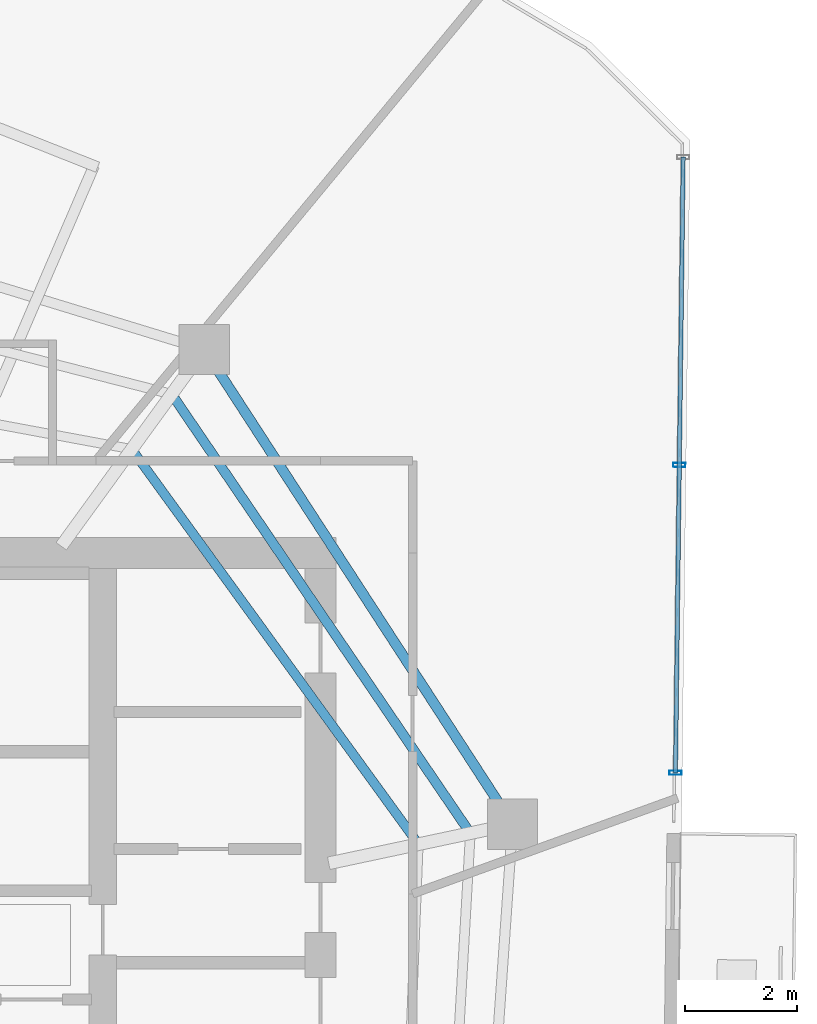
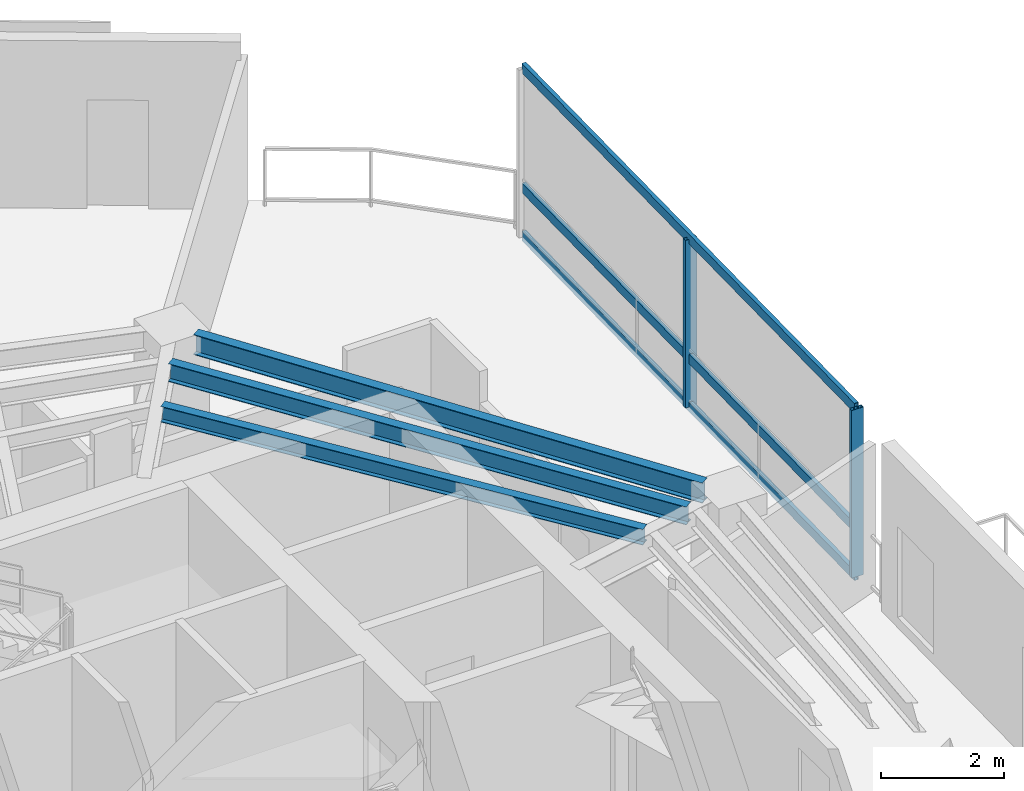
# One storey, part 8 of 18: 5 members, 3 beams, 1 element without a shape of its own.
"""IFC4 building model written with IfcOpenShell, lengths in metres."""

import ifcopenshell
import ifcopenshell.guid

model = None  # the IFC model being written
_history = None  # IfcOwnerHistory: only IFC2X3 demands one
_inside = {}  # id of a spatial element -> (the spatial element, [elements in it])
_under = {}  # id of a project, library or spatial element -> (it, [spatial elements below it])
_declared = {}  # id of a project -> (the project, [libraries it declares])
_typed = {}  # id of a type object -> (the type object, [elements of that type])
_made_of = {}  # id of a material, layer set ... -> (it, [elements and type objects made of it])


def new_model(schema):
    """Start an empty IFC model of exactly this schema.

    Asked for "IFC4X3", IfcOpenShell would pick the latest addendum, in which some entities
    have other attributes; the version numbers below select the first issue.
    IFC2X3 requires an IfcOwnerHistory on every rooted entity: one is made here for all.
    """
    global model, _history
    if schema == "IFC4X3":
        model = ifcopenshell.file(schema_version=(4, 3, 0, 0))
    else:
        model = ifcopenshell.file(schema=schema)
    _inside.clear()
    _under.clear()
    _declared.clear()
    _typed.clear()
    _made_of.clear()
    _history = None
    if model.schema == "IFC2X3":
        org = make("IfcOrganization", Name="unknown")
        user = make(
            "IfcPersonAndOrganization",
            ThePerson=make("IfcPerson", FamilyName="unknown"),
            TheOrganization=org,
        )
        app = make(
            "IfcApplication",
            ApplicationDeveloper=org,
            Version="unknown",
            ApplicationFullName="unknown",
            ApplicationIdentifier="unknown",
        )
        _history = make(
            "IfcOwnerHistory",
            OwningUser=user,
            OwningApplication=app,
            ChangeAction="ADDED",
            CreationDate=0,
        )
    return model


def make(cls, **values):
    """One entity of the class cls with the attributes given. An attribute that is None is left unset."""
    return model.create_entity(
        cls, **{name: value for name, value in values.items() if value is not None}
    )


def rooted(cls, **values):
    """An entity with a GlobalId (a new one), such as an element, a storey or a relation."""
    return make(cls, GlobalId=ifcopenshell.guid.new(), OwnerHistory=_history, **values)


def si_unit(unit_type, name, prefix=None):
    """IfcSIUnit, for example si_unit("LENGTHUNIT", "METRE", prefix="MILLI")."""
    return make("IfcSIUnit", UnitType=unit_type, Prefix=prefix, Name=name)


def assignment(units):
    """IfcUnitAssignment: the units of a project."""
    return None if units is None else make("IfcUnitAssignment", Units=units)


def point(xyz):
    """IfcCartesianPoint."""
    return None if xyz is None else make("IfcCartesianPoint", Coordinates=xyz)


def direction(xyz):
    """IfcDirection."""
    return None if xyz is None else make("IfcDirection", DirectionRatios=xyz)


def frame(location, z_axis=None, x_axis=None):
    """IfcAxis2Placement3D, a coordinate frame: its origin and axes. An axis left out is left unset."""
    return make(
        "IfcAxis2Placement3D",
        Location=point(location),
        Axis=direction(z_axis),
        RefDirection=direction(x_axis),
    )


def frame_2d(location, x_axis=None):
    """IfcAxis2Placement2D, a coordinate frame in the plane: its origin and x axis."""
    return make(
        "IfcAxis2Placement2D", Location=point(location), RefDirection=direction(x_axis)
    )


def origin():
    """The frame at (0, 0, 0) with its axes left unset."""
    return frame((0.0, 0.0, 0.0))


def origin_2d():
    """The frame at (0, 0) in the plane with its x axis left unset."""
    return frame_2d((0.0, 0.0))


def place(relative_to, where):
    """IfcLocalPlacement: puts the frame where relative to a parent placement (None: the world)."""
    return make(
        "IfcLocalPlacement", PlacementRelTo=relative_to, RelativePlacement=where
    )


def context(
    kind, dimensions, precision=None, world=None, true_north=None, identifier=None
):
    """IfcGeometricRepresentationContext, for example the 3D "Model" context."""
    return make(
        "IfcGeometricRepresentationContext",
        ContextIdentifier=identifier,
        ContextType=kind,
        CoordinateSpaceDimension=dimensions,
        Precision=precision,
        WorldCoordinateSystem=world,
        TrueNorth=true_north,
    )


def subcontext(parent, identifier, kind, view, scale=None):
    """IfcGeometricRepresentationSubContext, for example "Body" below "Model"."""
    return make(
        "IfcGeometricRepresentationSubContext",
        ContextIdentifier=identifier,
        ContextType=kind,
        ParentContext=parent,
        TargetScale=scale,
        TargetView=view,
    )


def project(units=None, contexts=None):
    """IfcProject with its units and contexts."""
    return rooted(
        "IfcProject",
        Name="project",
        RepresentationContexts=contexts,
        UnitsInContext=assignment(units),
    )


def spatial(cls, under=None, at=None, **own):
    """A site, building, storey or space (cls), placed at a placement, below another one or the project."""
    s = rooted(cls, ObjectPlacement=at, **own)
    if under is not None:
        _under.setdefault(under.id(), (under, []))[1].append(s)
    return s


def profile(cls, at=None, kind="AREA", **sizes):
    """A parametric profile (cls). Its sizes go by their IFC names, for example OverallWidth=200.0."""
    return make(cls, ProfileType=kind, Position=at, **sizes)


def hollow_rectangle(**sizes):
    """IfcRectangleHollowProfileDef."""
    return profile("IfcRectangleHollowProfileDef", **sizes)


def i_section(**sizes):
    """IfcIShapeProfileDef."""
    return profile("IfcIShapeProfileDef", **sizes)


def extrude(swept, where, along, depth):
    """IfcExtrudedAreaSolid: the profile swept, set in the frame where, extruded along a direction by depth."""
    return make(
        "IfcExtrudedAreaSolid",
        SweptArea=swept,
        Position=where,
        ExtrudedDirection=direction(along),
        Depth=depth,
    )


def shape(context_of_items, identifier, shape_type, items):
    """IfcShapeRepresentation: the items that make up one representation, for example the "Body"."""
    return make(
        "IfcShapeRepresentation",
        ContextOfItems=context_of_items,
        RepresentationIdentifier=identifier,
        RepresentationType=shape_type,
        Items=items,
    )


def material(Name=None, Category=None):
    """IfcMaterial."""
    return make("IfcMaterial", Name=Name, Category=Category)


def layer(
    of_material, thickness, ventilated=None, Name=None, Category=None, Priority=None
):
    """IfcMaterialLayer: one layer of a wall or slab, of a material (None: an air gap)."""
    return make(
        "IfcMaterialLayer",
        Material=of_material,
        LayerThickness=thickness,
        IsVentilated=ventilated,
        Name=Name,
        Category=Category,
        Priority=Priority,
    )


def layer_set(layers, Name=None):
    """IfcMaterialLayerSet."""
    return make("IfcMaterialLayerSet", MaterialLayers=layers, LayerSetName=Name)


def material_profile(
    of_material, cross_section, Name=None, Category=None, Priority=None
):
    """IfcMaterialProfile: a cross section and its material."""
    return make(
        "IfcMaterialProfile",
        Name=Name,
        Material=of_material,
        Profile=cross_section,
        Priority=Priority,
        Category=Category,
    )


def profile_set(profiles, Name=None, composite=None):
    """IfcMaterialProfileSet."""
    return make(
        "IfcMaterialProfileSet",
        Name=Name,
        MaterialProfiles=profiles,
        CompositeProfile=composite,
    )


def made_of(thing, what):
    """Note that an element or type object is made of a material, layer set ...; save() writes the relation."""
    if what is not None:
        _made_of.setdefault(what.id(), (what, []))[1].append(thing)
    return thing


def type_object(cls, material=None, **own):
    """A type object (cls), such as IfcWallType, which elements share."""
    return made_of(rooted(cls, **own), material)


def element(
    cls,
    number,
    at=None,
    inside=None,
    cuts=None,
    type_object=None,
    material=None,
    context=None,
    identifier="Body",
    shape_type=None,
    held_by="IfcProductDefinitionShape",
    body=None,
    shapes=None,
    **own,
):
    """One element of the class cls, such as IfcWall. Its Tag is "e" and its number.

    at: its placement. inside: the storey or other place that contains it. cuts: it is an
    opening in that element (IfcRelVoidsElement). A single representation is given by context,
    identifier, shape_type and body (its items); several are given by shapes. held_by: the class
    of the entity that holds the representations. save() writes the other relations.
    """
    e = rooted(cls, Tag="e%d" % number, ObjectPlacement=at, **own)
    if body is not None:
        shapes = [shape(context, identifier, shape_type, body)]
    if shapes is not None:
        e.Representation = make(held_by, Representations=shapes)
    if inside is not None:
        _inside.setdefault(inside.id(), (inside, []))[1].append(e)
    if cuts is not None:
        rooted(
            "IfcRelVoidsElement", RelatingBuildingElement=cuts, RelatedOpeningElement=e
        )
    if type_object is not None:
        _typed.setdefault(type_object.id(), (type_object, []))[1].append(e)
    return made_of(e, material)


def aggregate(whole, parts):
    """IfcRelAggregates: a whole, such as a stair, and the parts it consists of."""
    return rooted("IfcRelAggregates", RelatingObject=whole, RelatedObjects=parts)


def save(model, path):
    """Write the relations noted so far, then the file.

    IfcRelAggregates (storeys below a building ...), IfcRelContainedInSpatialStructure (elements
    in a storey), IfcRelDefinesByType, IfcRelAssociatesMaterial and IfcRelDeclares: one each for
    every whole, place, type object, material and project.
    """
    for whole, parts in _under.values():
        aggregate(whole, parts)
    for where, things in _inside.values():
        rooted(
            "IfcRelContainedInSpatialStructure",
            RelatedElements=things,
            RelatingStructure=where,
        )
    for kind, things in _typed.values():
        rooted("IfcRelDefinesByType", RelatedObjects=things, RelatingType=kind)
    for what, things in _made_of.values():
        rooted("IfcRelAssociatesMaterial", RelatedObjects=things, RelatingMaterial=what)
    for by, libraries in _declared.values():
        rooted("IfcRelDeclares", RelatingContext=by, RelatedDefinitions=libraries)
    model.write(path)


model = new_model("IFC4")

# Units and contexts
model_context = context("Model", 3, precision=1e-05, world=origin(), true_north=direction((0.0, 1.0)))
body_context = subcontext(model_context, "Body", "Model", "MODEL_VIEW")
ifc_project = project(units=[si_unit("LENGTHUNIT", "METRE"), si_unit("AREAUNIT", "SQUARE_METRE"), si_unit("VOLUMEUNIT", "CUBIC_METRE"), si_unit("PLANEANGLEUNIT", "RADIAN"), si_unit("MASSUNIT", "GRAM", prefix="KILO")], contexts=[model_context])

# Site, building, storey
site_placement = place(None, origin())
site = spatial("IfcSite", under=ifc_project, at=site_placement, CompositionType="ELEMENT")
building_placement = place(site_placement, origin())
building = spatial("IfcBuilding", under=site, at=building_placement, Name="Qarnah Convention Tower", CompositionType="ELEMENT")
storey_placement = place(building_placement, frame((0.0, 0.0, 177.0)))
storey = spatial("IfcBuildingStorey", under=building, at=storey_placement, Name="L47", CompositionType="ELEMENT", Elevation=177.0)

# Beams
ifc_material_1 = material(Name="Structural steel S355JR", Category="steel")
ifc_material_profile_1 = material_profile(ifc_material_1, i_section(OverallWidth=0.166015625, OverallDepth=0.31201171875, WebThickness=0.007080078125, FlangeThickness=0.010986328125, at=origin_2d()), Name="W310X45")
ifc_profile_set_1 = profile_set([ifc_material_profile_1], Name="Structural steel S355JR")
beam_type_1 = type_object("IfcBeamType", Name="BM-JST-W310", PredefinedType="JOIST", material=ifc_profile_set_1)
beam_1_placement = place(storey_placement, frame((49.302001953125, 29.056884765625, 3.1640625), z_axis=(-0.587474793176, 0.809242465138, 0.0), x_axis=(-0.809242465138, -0.587474793176, 0.0)))
element("IfcBeam", 1, at=beam_1_placement, inside=storey, type_object=beam_type_1, Name="L47 joist BM-L47-IJST-01", PredefinedType="JOIST", context=body_context, shape_type="SweptSolid", body=[
    extrude(i_section(OverallWidth=0.166015625, OverallDepth=0.31201171875, WebThickness=0.007080078125, FlangeThickness=0.010986328125, at=origin_2d()), origin(), (0.0, 0.0, 1.0), 8.563720703125),
])
ifc_material_profile_2 = material_profile(ifc_material_1, i_section(OverallWidth=0.172119140625, OverallDepth=0.35595703125, WebThickness=0.007080078125, FlangeThickness=0.011962890625, at=origin_2d()), Name="W360X51")
ifc_profile_set_2 = profile_set([ifc_material_profile_2], Name="Structural steel S355JR")
beam_type_2 = type_object("IfcBeamType", Name="BM-JST-W360", PredefinedType="JOIST", material=ifc_profile_set_2)
beam_2_placement = place(storey_placement, frame((50.23291015625, 29.2548828125, 3.14208984375), z_axis=(-0.562374425421, 0.826882703672, 0.0), x_axis=(-0.826882703672, -0.562374425421, 0.0)))
element("IfcBeam", 2, at=beam_2_placement, inside=storey, type_object=beam_type_2, Name="L47 joist BM-L47-SJST-01", PredefinedType="JOIST", context=body_context, shape_type="SweptSolid", body=[
    extrude(i_section(OverallWidth=0.172119140625, OverallDepth=0.35595703125, WebThickness=0.007080078125, FlangeThickness=0.011962890625, at=origin_2d()), origin(), (0.0, 0.0, 1.0), 9.33154296875),
])
ifc_material_profile_3 = material_profile(ifc_material_1, i_section(OverallWidth=0.179931640625, OverallDepth=0.39990234375, WebThickness=0.009033203125, FlangeThickness=0.013916015625, at=origin_2d()), Name="IPE400")
ifc_profile_set_3 = profile_set([ifc_material_profile_3], Name="Structural steel S355JR")
beam_type_3 = type_object("IfcBeamType", Name="BM-SPN-IPE400", PredefinedType="SPANDREL", material=ifc_profile_set_3)
beam_3_placement = place(storey_placement, frame((50.801025390625, 29.7109375, 3.1201171875), z_axis=(-0.544586178954, 0.838704890705, 0.0), x_axis=(-0.838704890705, -0.544586178954, 0.0)))
element("IfcBeam", 3, at=beam_3_placement, inside=storey, type_object=beam_type_3, Name="L47 spandrel BM-L47-SPN-01", PredefinedType="SPANDREL", context=body_context, shape_type="SweptSolid", body=[
    extrude(i_section(OverallWidth=0.179931640625, OverallDepth=0.39990234375, WebThickness=0.009033203125, FlangeThickness=0.013916015625, at=origin_2d()), origin(), (0.0, 0.0, 1.0), 9.261962890625),
])

# Curtain wall, members
ifc_material_2 = material(Name="Tempered Low-E dark glass", Category="glass")
ifc_layer = layer(ifc_material_2, 0.174072265625)
ifc_layer_set = layer_set([ifc_layer], Name="Tempered Low-E dark glass")
curtain_wall_type = type_object("IfcCurtainWallType", Name="CWS-04", PredefinedType="NOTDEFINED", material=ifc_layer_set)
curtain_wall_placement = place(storey_placement, origin())
curtain_wall = element("IfcCurtainWall", 4, at=curtain_wall_placement, inside=storey, type_object=curtain_wall_type, Name="L47 unitised curtain wall CW-L47-F3", PredefinedType="NOTDEFINED")
ifc_material_3 = material(Name="Black anodised aluminium", Category="aluminium")
ifc_material_profile_4 = material_profile(ifc_material_3, hollow_rectangle(XDim=0.074951171875, YDim=0.219970703125, WallThickness=0.0048828125, at=origin_2d()), Name="MUL-75X220")
ifc_profile_set_4 = profile_set([ifc_material_profile_4], Name="Black anodised aluminium")
member_type_1 = type_object("IfcMemberType", Name="MUL-T4", PredefinedType="MULLION", material=ifc_profile_set_4)
member_1_placement = place(storey_placement, frame((54.028076171875, 35.777099609375, 0.0), z_axis=(0.0, 0.0, 1.0), x_axis=(-0.012512619555, -0.999921714112, 0.0)))
member_1 = element("IfcMember", 5, at=member_1_placement, type_object=member_type_1, Name="CW-L47-F3 mullion 2", PredefinedType="MULLION", context=body_context, shape_type="SweptSolid", body=[
    extrude(hollow_rectangle(XDim=0.074951171875, YDim=0.219970703125, WallThickness=0.0048828125, at=origin_2d()), origin(), (0.0, 0.0, 1.0), 3.320068359375),
])
member_2_placement = place(storey_placement, frame((53.958984375, 30.262939453125, 0.0), z_axis=(0.0, 0.0, 1.0), x_axis=(-0.012512619555, -0.999921714112, 0.0)))
member_2 = element("IfcMember", 6, at=member_2_placement, type_object=member_type_1, Name="CW-L47-F3 mullion 3", PredefinedType="MULLION", context=body_context, shape_type="SweptSolid", body=[
    extrude(hollow_rectangle(XDim=0.074951171875, YDim=0.219970703125, WallThickness=0.0048828125, at=origin_2d()), origin(), (0.0, 0.0, 1.0), 3.320068359375),
])
ifc_material_profile_5 = material_profile(ifc_material_3, hollow_rectangle(XDim=0.074951171875, YDim=0.18994140625, WallThickness=0.0048828125, at=origin_2d()), Name="TRN-75X190")
ifc_profile_set_5 = profile_set([ifc_material_profile_5], Name="Black anodised aluminium")
member_type_2 = type_object("IfcMemberType", Name="TRN-T4", PredefinedType="USERDEFINED", material=ifc_profile_set_5)
member_3_placement = place(storey_placement, frame((54.096923828125, 41.291015625, 0.0), z_axis=(-0.012507046731, -0.999921783832, 0.0), x_axis=(0.999921783832, -0.012507046731, 0.0)))
member_3 = element("IfcMember", 7, at=member_3_placement, type_object=member_type_2, Name="CW-L47-F3 transom 1", ObjectType="TRANSOM", PredefinedType="USERDEFINED", context=body_context, shape_type="SweptSolid", body=[
    extrude(hollow_rectangle(XDim=0.074951171875, YDim=0.18994140625, WallThickness=0.0048828125, at=origin_2d()), origin(), (0.0, 0.0, 1.0), 11.029052734375),
])
member_4_placement = place(storey_placement, frame((54.096923828125, 41.291015625, 0.949951171875), z_axis=(-0.012507046731, -0.999921783832, 0.0), x_axis=(0.999921783832, -0.012507046731, 0.0)))
member_4 = element("IfcMember", 8, at=member_4_placement, type_object=member_type_2, Name="CW-L47-F3 transom 2", ObjectType="TRANSOM", PredefinedType="USERDEFINED", context=body_context, shape_type="SweptSolid", body=[
    extrude(hollow_rectangle(XDim=0.074951171875, YDim=0.18994140625, WallThickness=0.0048828125, at=origin_2d()), origin(), (0.0, 0.0, 1.0), 11.029052734375),
])
member_5_placement = place(storey_placement, frame((54.096923828125, 41.291015625, 3.320068359375), z_axis=(-0.012507046731, -0.999921783832, 0.0), x_axis=(0.999921783832, -0.012507046731, 0.0)))
member_5 = element("IfcMember", 9, at=member_5_placement, type_object=member_type_2, Name="CW-L47-F3 transom 3", ObjectType="TRANSOM", PredefinedType="USERDEFINED", context=body_context, shape_type="SweptSolid", body=[
    extrude(hollow_rectangle(XDim=0.074951171875, YDim=0.18994140625, WallThickness=0.0048828125, at=origin_2d()), origin(), (0.0, 0.0, 1.0), 11.029052734375),
])
aggregate(curtain_wall, [member_1, member_2, member_3, member_4, member_5])

save(model, "model.ifc")
